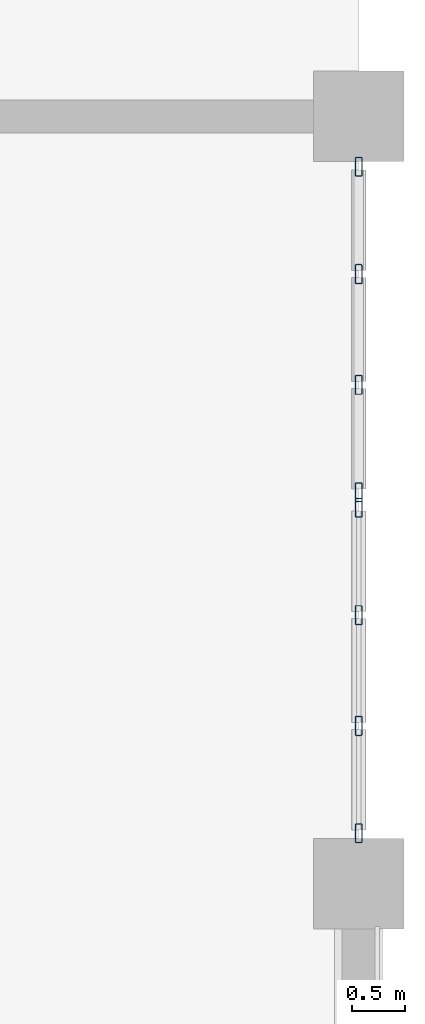
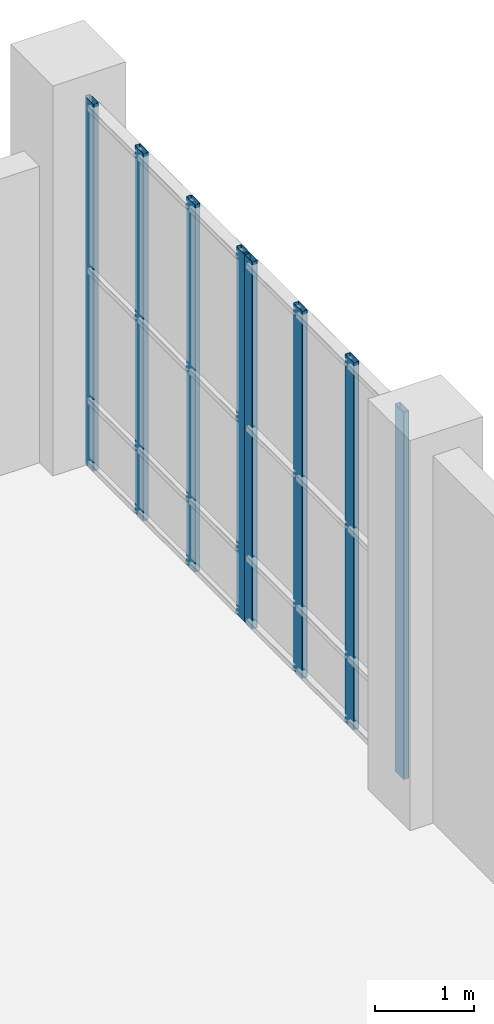
# One storey, part 45 of 97: 8 members, 2 elements without a shape of their own.
"""IFC4 building model written with IfcOpenShell, lengths in metres."""

from ifc_helpers import new_model, si_unit, direction, frame, origin, origin_2d, place, context, subcontext, project, spatial, hollow_rectangle, extrude, material, layer, layer_set, material_profile, profile_set, type_object, element, aggregate, save


model = new_model("IFC4")

# Units and contexts
model_context = context("Model", 3, precision=1e-05, world=origin(), true_north=direction((0.0, 1.0)))
body_context = subcontext(model_context, "Body", "Model", "MODEL_VIEW")
ifc_project = project(units=[si_unit("LENGTHUNIT", "METRE"), si_unit("AREAUNIT", "SQUARE_METRE"), si_unit("VOLUMEUNIT", "CUBIC_METRE"), si_unit("PLANEANGLEUNIT", "RADIAN"), si_unit("MASSUNIT", "GRAM", prefix="KILO")], contexts=[model_context])

# Site, building, storey
site_placement = place(None, origin())
site = spatial("IfcSite", under=ifc_project, at=site_placement, CompositionType="ELEMENT")
building_placement = place(site_placement, origin())
building = spatial("IfcBuilding", under=site, at=building_placement, Name="Kisaragi Civic Commons", CompositionType="ELEMENT")
storey_placement = place(building_placement, origin())
storey = spatial("IfcBuildingStorey", under=building, at=storey_placement, Name="L00", CompositionType="ELEMENT", Elevation=0.0)

# Curtain wall, members
ifc_material = material(Name="Thermally broken anodized aluminium and low-E double glazing", Category="aluminium")
ifc_layer = layer(ifc_material, 0.179931640625, Name="Thermally broken anodized aluminium and low-E double glazing", Category="aluminium")
ifc_layer_set = layer_set([ifc_layer], Name="Thermally broken anodized aluminium and low-E double glazing")
curtain_wall_type = type_object("IfcCurtainWallType", Name="CW-01", PredefinedType="NOTDEFINED", material=ifc_layer_set)
curtain_wall_1_placement = place(storey_placement, origin())
curtain_wall_1 = element("IfcCurtainWall", 1, at=curtain_wall_1_placement, inside=storey, type_object=curtain_wall_type, Name="L00 curtain wall CW-01 CW-V4-L00-053", PredefinedType="NOTDEFINED")
ifc_material_profile = material_profile(ifc_material, hollow_rectangle(XDim=0.06494140625, YDim=0.179931640625, WallThickness=0.00439453125, InnerFilletRadius=0.00439453125, OuterFilletRadius=0.009033203125, at=origin_2d()), Name="CWM-65x180x4.5", Category="aluminium")
ifc_profile_set = profile_set([ifc_material_profile], Name="Thermally broken anodized aluminium and low-E double glazing")
member_type = type_object("IfcMemberType", Name="CWM-02", PredefinedType="MULLION", material=ifc_profile_set)
member_1_placement = place(storey_placement, frame((172.800048828125, 111.12744140625, 0.0), z_axis=(0.0, 0.0, 1.0), x_axis=(1.0, 0.0, 0.0)))
member_1 = element("IfcMember", 2, at=member_1_placement, type_object=member_type, Name="CW-01 mullion 1", PredefinedType="MULLION", context=body_context, shape_type="SweptSolid", body=[
    extrude(hollow_rectangle(XDim=0.06494140625, YDim=0.179931640625, WallThickness=0.00439453125, InnerFilletRadius=0.00439453125, OuterFilletRadius=0.009033203125, at=origin_2d()), origin(), (0.0, 0.0, 1.0), 4.52001953125),
])
member_2_placement = place(storey_placement, frame((172.800048828125, 110.1201171875, 0.0), z_axis=(0.0, 0.0, 1.0), x_axis=(1.0, 0.0, 0.0)))
member_2 = element("IfcMember", 3, at=member_2_placement, type_object=member_type, Name="CW-01 mullion 2", PredefinedType="MULLION", context=body_context, shape_type="SweptSolid", body=[
    extrude(hollow_rectangle(XDim=0.06494140625, YDim=0.179931640625, WallThickness=0.00439453125, InnerFilletRadius=0.00439453125, OuterFilletRadius=0.009033203125, at=origin_2d()), origin(), (0.0, 0.0, 1.0), 4.52001953125),
])
member_3_placement = place(storey_placement, frame((172.800048828125, 109.080078125, 0.0), z_axis=(0.0, 0.0, 1.0), x_axis=(1.0, 0.0, 0.0)))
member_3 = element("IfcMember", 4, at=member_3_placement, type_object=member_type, Name="CW-01 mullion 3", PredefinedType="MULLION", context=body_context, shape_type="SweptSolid", body=[
    extrude(hollow_rectangle(XDim=0.06494140625, YDim=0.179931640625, WallThickness=0.00439453125, InnerFilletRadius=0.00439453125, OuterFilletRadius=0.009033203125, at=origin_2d()), origin(), (0.0, 0.0, 1.0), 4.52001953125),
])
member_4_placement = place(storey_placement, frame((172.800048828125, 108.072509765625, 0.0), z_axis=(0.0, 0.0, 1.0), x_axis=(1.0, 0.0, 0.0)))
member_4 = element("IfcMember", 5, at=member_4_placement, type_object=member_type, Name="CW-01 mullion 4", PredefinedType="MULLION", context=body_context, shape_type="SweptSolid", body=[
    extrude(hollow_rectangle(XDim=0.06494140625, YDim=0.179931640625, WallThickness=0.00439453125, InnerFilletRadius=0.00439453125, OuterFilletRadius=0.009033203125, at=origin_2d()), origin(), (0.0, 0.0, 1.0), 4.52001953125),
])
aggregate(curtain_wall_1, [member_1, member_2, member_3, member_4])

curtain_wall_2_placement = place(storey_placement, origin())
curtain_wall_2 = element("IfcCurtainWall", 6, at=curtain_wall_2_placement, inside=storey, type_object=curtain_wall_type, Name="L00 curtain wall CW-01 CW-V4-L00-054", PredefinedType="NOTDEFINED")
member_5_placement = place(storey_placement, frame((172.800048828125, 107.927490234375, 0.0), z_axis=(0.0, 0.0, 1.0), x_axis=(1.0, 0.0, 0.0)))
member_5 = element("IfcMember", 7, at=member_5_placement, type_object=member_type, Name="CW-01 mullion 1", PredefinedType="MULLION", context=body_context, shape_type="SweptSolid", body=[
    extrude(hollow_rectangle(XDim=0.06494140625, YDim=0.179931640625, WallThickness=0.00439453125, InnerFilletRadius=0.00439453125, OuterFilletRadius=0.009033203125, at=origin_2d()), origin(), (0.0, 0.0, 1.0), 4.52001953125),
])
member_6_placement = place(storey_placement, frame((172.800048828125, 106.919921875, 0.0), z_axis=(0.0, 0.0, 1.0), x_axis=(1.0, 0.0, 0.0)))
member_6 = element("IfcMember", 8, at=member_6_placement, type_object=member_type, Name="CW-01 mullion 2", PredefinedType="MULLION", context=body_context, shape_type="SweptSolid", body=[
    extrude(hollow_rectangle(XDim=0.06494140625, YDim=0.179931640625, WallThickness=0.00439453125, InnerFilletRadius=0.00439453125, OuterFilletRadius=0.009033203125, at=origin_2d()), origin(), (0.0, 0.0, 1.0), 4.52001953125),
])
member_7_placement = place(storey_placement, frame((172.800048828125, 105.8798828125, 0.0), z_axis=(0.0, 0.0, 1.0), x_axis=(1.0, 0.0, 0.0)))
member_7 = element("IfcMember", 9, at=member_7_placement, type_object=member_type, Name="CW-01 mullion 3", PredefinedType="MULLION", context=body_context, shape_type="SweptSolid", body=[
    extrude(hollow_rectangle(XDim=0.06494140625, YDim=0.179931640625, WallThickness=0.00439453125, InnerFilletRadius=0.00439453125, OuterFilletRadius=0.009033203125, at=origin_2d()), origin(), (0.0, 0.0, 1.0), 4.52001953125),
])
member_8_placement = place(storey_placement, frame((172.800048828125, 104.87255859375, 0.0), z_axis=(0.0, 0.0, 1.0), x_axis=(1.0, 0.0, 0.0)))
member_8 = element("IfcMember", 10, at=member_8_placement, type_object=member_type, Name="CW-01 mullion 4", PredefinedType="MULLION", context=body_context, shape_type="SweptSolid", body=[
    extrude(hollow_rectangle(XDim=0.06494140625, YDim=0.179931640625, WallThickness=0.00439453125, InnerFilletRadius=0.00439453125, OuterFilletRadius=0.009033203125, at=origin_2d()), origin(), (0.0, 0.0, 1.0), 4.52001953125),
])
aggregate(curtain_wall_2, [member_5, member_6, member_7, member_8])

save(model, "model.ifc")
